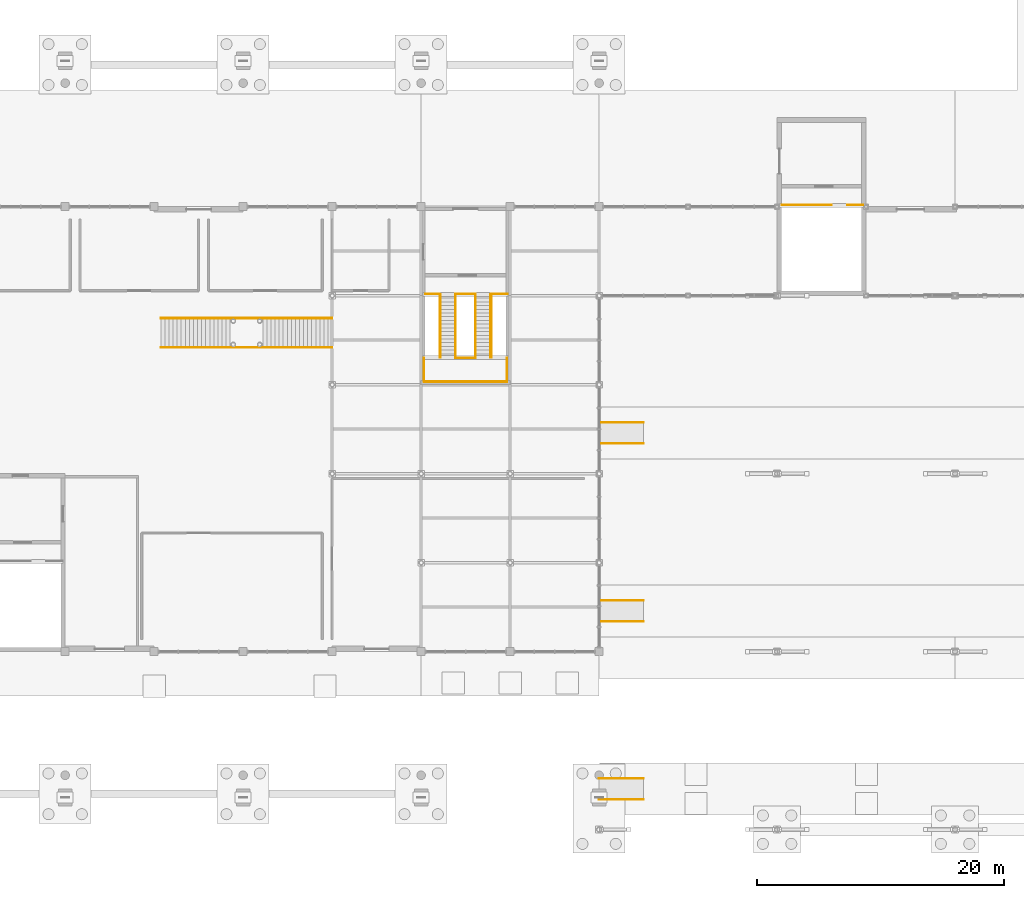
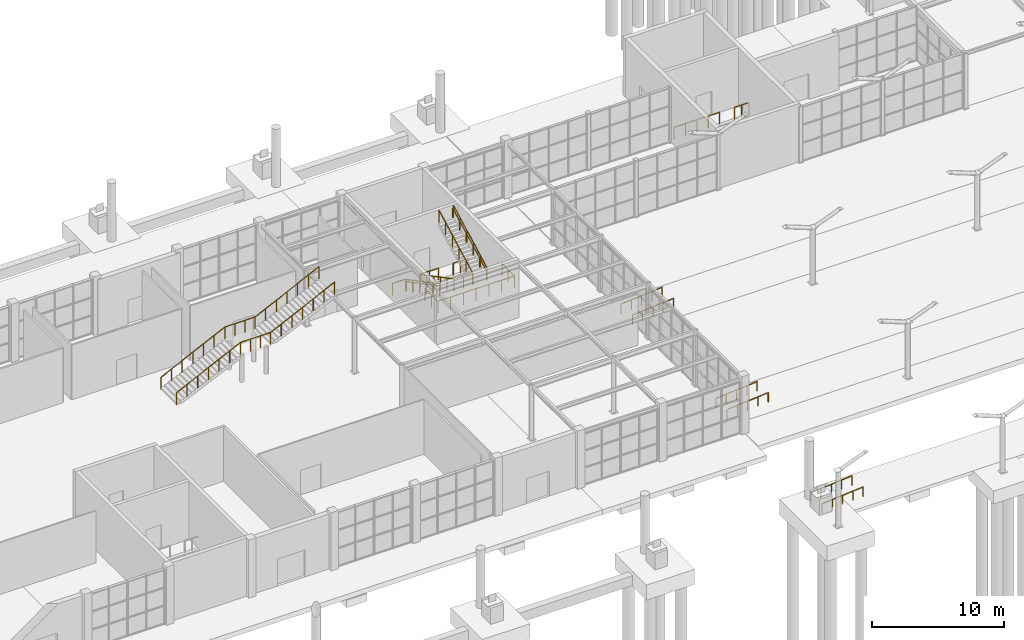
# One storey, part 71 of 75: 21 railings.
"""IFC4 building model written with IfcOpenShell, lengths in metres."""

from ifc_helpers import new_model, si_unit, direction, frame, origin, origin_2d, place, context, subcontext, project, spatial, circle, extrude, material, type_object, element, save


model = new_model("IFC4")

# Units and contexts
model_context = context("Model", 3, precision=1e-05, world=origin(), true_north=direction((0.0, 1.0)))
body_context = subcontext(model_context, "Body", "Model", "MODEL_VIEW")
ifc_project = project(units=[si_unit("LENGTHUNIT", "METRE"), si_unit("AREAUNIT", "SQUARE_METRE"), si_unit("VOLUMEUNIT", "CUBIC_METRE"), si_unit("PLANEANGLEUNIT", "RADIAN"), si_unit("MASSUNIT", "GRAM", prefix="KILO")], contexts=[model_context])

# Site, building, storey
site_placement = place(None, origin())
site = spatial("IfcSite", under=ifc_project, at=site_placement, CompositionType="ELEMENT")
building_placement = place(site_placement, origin())
building = spatial("IfcBuilding", under=site, at=building_placement, Name="Leyfeld Transit Interchange", CompositionType="ELEMENT")
storey_placement = place(building_placement, origin())
storey = spatial("IfcBuildingStorey", under=building, at=storey_placement, Name="L00", CompositionType="ELEMENT", Elevation=0.0)

# Railings
ifc_material = material(Name="Stainless steel EN 1.4404", Category="steel")
railing_type_1 = type_object("IfcRailingType", Name="RL-STR-GRD-1100", PredefinedType="GUARDRAIL", material=ifc_material)
railing_1_placement = place(storey_placement, frame((86.760009765625, 43.35009765625, 0.0)))
element("IfcRailing", 1, at=railing_1_placement, inside=storey, type_object=railing_type_1, Name="Stair ST-07 Landing Guard FLW L00", PredefinedType="GUARDRAIL", context=body_context, shape_type="SweptSolid", body=[
    extrude(circle(Radius=0.02392578125, at=origin_2d()), frame((0.0, 0.0, 1.09619140625), z_axis=(1.0, 0.0, 0.0), x_axis=(0.0, 1.0, 0.0)), (0.0, 0.0, 1.0), 1.139892578125),
    extrude(circle(Radius=0.02099609375, at=origin_2d()), origin(), (0.0, 0.0, 1.0), 1.072021484375),
    extrude(circle(Radius=0.02099609375, at=origin_2d()), frame((1.139892578125, 0.0, 0.0)), (0.0, 0.0, 1.0), 1.072021484375),
])
railing_2_placement = place(storey_placement, frame((89.199951171875, 43.35009765625, 0.0)))
element("IfcRailing", 2, at=railing_2_placement, inside=storey, type_object=railing_type_1, Name="Stair ST-07 Landing Guard EYE L00", PredefinedType="GUARDRAIL", context=body_context, shape_type="SweptSolid", body=[
    extrude(circle(Radius=0.02392578125, at=origin_2d()), frame((0.0, 0.0, 1.09619140625), z_axis=(1.0, 0.0, 0.0), x_axis=(0.0, 1.0, 0.0)), (0.0, 0.0, 1.0), 1.60009765625),
    extrude(circle(Radius=0.02099609375, at=origin_2d()), origin(), (0.0, 0.0, 1.0), 1.072021484375),
    extrude(circle(Radius=0.02099609375, at=origin_2d()), frame((0.800048828125, 0.0, 0.0)), (0.0, 0.0, 1.0), 1.072021484375),
    extrude(circle(Radius=0.02099609375, at=origin_2d()), frame((1.60009765625, 0.0, 0.0)), (0.0, 0.0, 1.0), 1.072021484375),
])
railing_3_placement = place(storey_placement, frame((92.10009765625, 43.35009765625, 0.0)))
element("IfcRailing", 3, at=railing_3_placement, inside=storey, type_object=railing_type_1, Name="Stair ST-07 Landing Guard FLE L00", PredefinedType="GUARDRAIL", context=body_context, shape_type="SweptSolid", body=[
    extrude(circle(Radius=0.02392578125, at=origin_2d()), frame((0.0, 0.0, 1.09619140625), z_axis=(1.0, 0.0, 0.0), x_axis=(0.0, 1.0, 0.0)), (0.0, 0.0, 1.0), 1.289794921875),
    extrude(circle(Radius=0.02099609375, at=origin_2d()), origin(), (0.0, 0.0, 1.0), 1.072021484375),
    extrude(circle(Radius=0.02099609375, at=origin_2d()), frame((0.64501953125, 0.0, 0.0)), (0.0, 0.0, 1.0), 1.072021484375),
    extrude(circle(Radius=0.02099609375, at=origin_2d()), frame((1.289794921875, 0.0, 0.0)), (0.0, 0.0, 1.0), 1.072021484375),
])
railing_4_placement = place(storey_placement, frame((89.18505859375, 38.159912109375, 2.699951171875)))
element("IfcRailing", 4, at=railing_4_placement, inside=storey, type_object=railing_type_1, Name="Stair ST-07 L00 Half-Landing Inner Guard", PredefinedType="GUARDRAIL", context=body_context, shape_type="SweptSolid", body=[
    extrude(circle(Radius=0.02392578125, at=origin_2d()), frame((0.0, 0.0, 1.09619140625), z_axis=(1.0, 0.0, 0.0), x_axis=(0.0, 1.0, 0.0)), (0.0, 0.0, 1.0), 1.6298828125),
    extrude(circle(Radius=0.02099609375, at=origin_2d()), origin(), (0.0, 0.0, 1.0), 1.072021484375),
    extrude(circle(Radius=0.02099609375, at=origin_2d()), frame((0.81494140625, 0.0, 0.0)), (0.0, 0.0, 1.0), 1.072021484375),
    extrude(circle(Radius=0.02099609375, at=origin_2d()), frame((1.6298828125, 0.0, 0.0)), (0.0, 0.0, 1.0), 1.072021484375),
])
railing_5_placement = place(storey_placement, frame((86.639892578125, 38.159912109375, 2.699951171875)))
element("IfcRailing", 5, at=railing_5_placement, inside=storey, type_object=railing_type_1, Name="Stair ST-07 L00 Half-Landing Perimeter Guard", PredefinedType="GUARDRAIL", context=body_context, shape_type="SweptSolid", body=[
    extrude(circle(Radius=0.02392578125, at=origin_2d()), frame((0.0, 0.0, 1.09619140625), z_axis=(0.0, -1.0, 0.0), x_axis=(1.0, 0.0, 0.0)), (0.0, 0.0, 1.0), 1.919921875),
    extrude(circle(Radius=0.02392578125, at=origin_2d()), frame((0.0, -1.919921875, 1.09619140625), z_axis=(1.0, 0.0, 0.0), x_axis=(0.0, 1.0, 0.0)), (0.0, 0.0, 1.0), 6.72021484375),
    extrude(circle(Radius=0.02392578125, at=origin_2d()), frame((6.72021484375, -1.919921875, 1.09619140625), z_axis=(0.0, 1.0, 0.0), x_axis=(-1.0, 0.0, 0.0)), (0.0, 0.0, 1.0), 1.919921875),
    extrude(circle(Radius=0.02099609375, at=origin_2d()), origin(), (0.0, 0.0, 1.0), 1.072021484375),
    extrude(circle(Radius=0.02099609375, at=origin_2d()), frame((0.0, -0.9599609375, 0.0)), (0.0, 0.0, 1.0), 1.072021484375),
    extrude(circle(Radius=0.02099609375, at=origin_2d()), frame((0.0, -1.919921875, 0.0)), (0.0, 0.0, 1.0), 1.072021484375),
    extrude(circle(Radius=0.02099609375, at=origin_2d()), frame((1.1201171875, -1.919921875, 0.0)), (0.0, 0.0, 1.0), 1.072021484375),
    extrude(circle(Radius=0.02099609375, at=origin_2d()), frame((2.239990234375, -1.919921875, 0.0)), (0.0, 0.0, 1.0), 1.072021484375),
    extrude(circle(Radius=0.02099609375, at=origin_2d()), frame((3.360107421875, -1.919921875, 0.0)), (0.0, 0.0, 1.0), 1.072021484375),
    extrude(circle(Radius=0.02099609375, at=origin_2d()), frame((4.480224609375, -1.919921875, 0.0)), (0.0, 0.0, 1.0), 1.072021484375),
    extrude(circle(Radius=0.02099609375, at=origin_2d()), frame((5.60009765625, -1.919921875, 0.0)), (0.0, 0.0, 1.0), 1.072021484375),
    extrude(circle(Radius=0.02099609375, at=origin_2d()), frame((6.72021484375, -1.919921875, 0.0)), (0.0, 0.0, 1.0), 1.072021484375),
    extrude(circle(Radius=0.02099609375, at=origin_2d()), frame((6.72021484375, -0.9599609375, 0.0)), (0.0, 0.0, 1.0), 1.072021484375),
    extrude(circle(Radius=0.02099609375, at=origin_2d()), frame((6.72021484375, 0.0, 0.0)), (0.0, 0.0, 1.0), 1.072021484375),
])
for number, where, name in (
    (6, (89.18505859375, 43.300048828125, 0.0), "Stair ST-07 L00 F1 Inner Guard"),
    (7, (87.9150390625, 43.300048828125, 0.0), "Stair ST-07 L00 F1 Outer Guard"),
):
    element("IfcRailing", number, at=place(storey_placement, frame(where)), inside=storey, type_object=railing_type_1, Name=name, PredefinedType="GUARDRAIL", context=body_context, shape_type="SweptSolid", body=[
        extrude(circle(Radius=0.02392578125, at=origin_2d()), frame((0.0, 0.0, 1.09619140625), z_axis=(0.0, -0.883795119882, 0.467874113489), x_axis=(1.0, 0.0, 0.0)), (0.0, 0.0, 1.0), 5.770751953125),
        extrude(circle(Radius=0.02099609375, at=origin_2d()), origin(), (0.0, 0.0, 1.0), 1.072021484375),
        extrude(circle(Radius=0.02099609375, at=origin_2d()), frame((0.0, -1.02001953125, 0.5400390625)), (0.0, 0.0, 1.0), 1.072021484375),
        extrude(circle(Radius=0.02099609375, at=origin_2d()), frame((0.0, -2.0400390625, 1.080078125)), (0.0, 0.0, 1.0), 1.072021484375),
        extrude(circle(Radius=0.02099609375, at=origin_2d()), frame((0.0, -3.06005859375, 1.619873046875)), (0.0, 0.0, 1.0), 1.072021484375),
        extrude(circle(Radius=0.02099609375, at=origin_2d()), frame((0.0, -4.080078125, 2.159912109375)), (0.0, 0.0, 1.0), 1.072021484375),
        extrude(circle(Radius=0.02099609375, at=origin_2d()), frame((0.0, -5.10009765625, 2.699951171875)), (0.0, 0.0, 1.0), 1.072021484375),
    ])
for number, where, name in (
    (8, (90.81494140625, 38.199951171875, 2.699951171875), "Stair ST-07 L00 F2 Inner Guard"),
    (9, (92.0849609375, 38.199951171875, 2.699951171875), "Stair ST-07 L00 F2 Outer Guard"),
):
    element("IfcRailing", number, at=place(storey_placement, frame(where)), inside=storey, type_object=railing_type_1, Name=name, PredefinedType="GUARDRAIL", context=body_context, shape_type="SweptSolid", body=[
        extrude(circle(Radius=0.02392578125, at=origin_2d()), frame((0.0, 0.0, 1.09619140625), z_axis=(0.0, 0.883795119882, 0.467874113489), x_axis=(-1.0, 0.0, 0.0)), (0.0, 0.0, 1.0), 5.770751953125),
        extrude(circle(Radius=0.02099609375, at=origin_2d()), origin(), (0.0, 0.0, 1.0), 1.072021484375),
        extrude(circle(Radius=0.02099609375, at=origin_2d()), frame((0.0, 1.02001953125, 0.5400390625)), (0.0, 0.0, 1.0), 1.072021484375),
        extrude(circle(Radius=0.02099609375, at=origin_2d()), frame((0.0, 2.0400390625, 1.080078125)), (0.0, 0.0, 1.0), 1.072021484375),
        extrude(circle(Radius=0.02099609375, at=origin_2d()), frame((0.0, 3.06005859375, 1.619873046875)), (0.0, 0.0, 1.0), 1.072021484375),
        extrude(circle(Radius=0.02099609375, at=origin_2d()), frame((0.0, 4.080078125, 2.159912109375)), (0.0, 0.0, 1.0), 1.072021484375),
        extrude(circle(Radius=0.02099609375, at=origin_2d()), frame((0.0, 5.10009765625, 2.699951171875)), (0.0, 0.0, 1.0), 1.072021484375),
    ])
railing_6_placement = place(storey_placement, frame((115.590087890625, 50.550048828125, 0.0)))
element("IfcRailing", 10, at=railing_6_placement, inside=storey, type_object=railing_type_1, Name="Stair ST-09 Landing Guard TOPW L00", PredefinedType="GUARDRAIL", context=body_context, shape_type="SweptSolid", body=[
    extrude(circle(Radius=0.02392578125, at=origin_2d()), frame((0.0, 0.0, 1.09619140625), z_axis=(1.0, 0.0, 0.0), x_axis=(0.0, 1.0, 0.0)), (0.0, 0.0, 1.0), 4.010009765625),
    extrude(circle(Radius=0.02099609375, at=origin_2d()), origin(), (0.0, 0.0, 1.0), 1.072021484375),
    extrude(circle(Radius=0.02099609375, at=origin_2d()), frame((1.00244140625, 0.0, 0.0)), (0.0, 0.0, 1.0), 1.072021484375),
    extrude(circle(Radius=0.02099609375, at=origin_2d()), frame((2.0048828125, 0.0, 0.0)), (0.0, 0.0, 1.0), 1.072021484375),
    extrude(circle(Radius=0.02099609375, at=origin_2d()), frame((3.007568359375, 0.0, 0.0)), (0.0, 0.0, 1.0), 1.072021484375),
    extrude(circle(Radius=0.02099609375, at=origin_2d()), frame((4.010009765625, 0.0, 0.0)), (0.0, 0.0, 1.0), 1.072021484375),
])
railing_7_placement = place(storey_placement, frame((120.89990234375, 50.550048828125, 0.0)))
element("IfcRailing", 11, at=railing_7_placement, inside=storey, type_object=railing_type_1, Name="Stair ST-09 Landing Guard TOPE L00", PredefinedType="GUARDRAIL", context=body_context, shape_type="SweptSolid", body=[
    extrude(circle(Radius=0.02392578125, at=origin_2d()), frame((0.0, 0.0, 1.09619140625), z_axis=(1.0, 0.0, 0.0), x_axis=(0.0, 1.0, 0.0)), (0.0, 0.0, 1.0), 1.26513671875),
    extrude(circle(Radius=0.02099609375, at=origin_2d()), origin(), (0.0, 0.0, 1.0), 1.072021484375),
    extrude(circle(Radius=0.02099609375, at=origin_2d()), frame((0.632568359375, 0.0, 0.0)), (0.0, 0.0, 1.0), 1.072021484375),
    extrude(circle(Radius=0.02099609375, at=origin_2d()), frame((1.26513671875, 0.0, 0.0)), (0.0, 0.0, 1.0), 1.072021484375),
])
railing_8_placement = place(storey_placement, frame((65.340087890625, 39.02001953125, 0.0)))
element("IfcRailing", 12, at=railing_8_placement, inside=storey, type_object=railing_type_1, Name="Feature Stair ST-11 Guard S", PredefinedType="GUARDRAIL", context=body_context, shape_type="SweptSolid", body=[
    extrude(circle(Radius=0.02392578125, at=origin_2d()), frame((0.0, 0.0, 1.09619140625), z_axis=(0.901070349309, 0.0, 0.433672947733), x_axis=(0.0, 1.0, 0.0)), (0.0, 0.0, 1.0), 6.225830078125),
    extrude(circle(Radius=0.02392578125, at=origin_2d()), frame((5.60986328125, 0.0, 3.7958984375), z_axis=(1.0, 0.0, 0.0), x_axis=(0.0, 1.0, 0.0)), (0.0, 0.0, 1.0), 2.64013671875),
    extrude(circle(Radius=0.02392578125, at=origin_2d()), frame((8.25, 0.0, 3.7958984375), z_axis=(0.901070349309, 0.0, 0.433672947733), x_axis=(0.0, 1.0, 0.0)), (0.0, 0.0, 1.0), 6.225830078125),
    extrude(circle(Radius=0.02099609375, at=origin_2d()), origin(), (0.0, 0.0, 1.0), 1.072021484375),
    extrude(circle(Radius=0.02099609375, at=origin_2d()), frame((0.93505859375, 0.0, 0.449951171875)), (0.0, 0.0, 1.0), 1.072021484375),
    extrude(circle(Radius=0.02099609375, at=origin_2d()), frame((1.869873046875, 0.0, 0.89990234375)), (0.0, 0.0, 1.0), 1.072021484375),
    extrude(circle(Radius=0.02099609375, at=origin_2d()), frame((2.804931640625, 0.0, 1.35009765625)), (0.0, 0.0, 1.0), 1.072021484375),
    extrude(circle(Radius=0.02099609375, at=origin_2d()), frame((3.739990234375, 0.0, 1.800048828125)), (0.0, 0.0, 1.0), 1.072021484375),
    extrude(circle(Radius=0.02099609375, at=origin_2d()), frame((4.6748046875, 0.0, 2.25)), (0.0, 0.0, 1.0), 1.072021484375),
    extrude(circle(Radius=0.02099609375, at=origin_2d()), frame((5.60986328125, 0.0, 2.699951171875)), (0.0, 0.0, 1.0), 1.072021484375),
    extrude(circle(Radius=0.02099609375, at=origin_2d()), frame((6.489990234375, 0.0, 2.699951171875)), (0.0, 0.0, 1.0), 1.072021484375),
    extrude(circle(Radius=0.02099609375, at=origin_2d()), frame((7.369873046875, 0.0, 2.699951171875)), (0.0, 0.0, 1.0), 1.072021484375),
    extrude(circle(Radius=0.02099609375, at=origin_2d()), frame((8.25, 0.0, 2.699951171875)), (0.0, 0.0, 1.0), 1.072021484375),
    extrude(circle(Radius=0.02099609375, at=origin_2d()), frame((9.18505859375, 0.0, 3.14990234375)), (0.0, 0.0, 1.0), 1.072021484375),
    extrude(circle(Radius=0.02099609375, at=origin_2d()), frame((10.119873046875, 0.0, 3.599853515625)), (0.0, 0.0, 1.0), 1.072021484375),
    extrude(circle(Radius=0.02099609375, at=origin_2d()), frame((11.054931640625, 0.0, 4.0498046875)), (0.0, 0.0, 1.0), 1.072021484375),
    extrude(circle(Radius=0.02099609375, at=origin_2d()), frame((11.989990234375, 0.0, 4.5)), (0.0, 0.0, 1.0), 1.072021484375),
    extrude(circle(Radius=0.02099609375, at=origin_2d()), frame((12.9248046875, 0.0, 4.949951171875)), (0.0, 0.0, 1.0), 1.072021484375),
    extrude(circle(Radius=0.02099609375, at=origin_2d()), frame((13.85986328125, 0.0, 5.39990234375)), (0.0, 0.0, 1.0), 1.072021484375),
])
railing_9_placement = place(storey_placement, frame((65.340087890625, 41.3798828125, 0.0)))
element("IfcRailing", 13, at=railing_9_placement, inside=storey, type_object=railing_type_1, Name="Feature Stair ST-11 Guard N", PredefinedType="GUARDRAIL", context=body_context, shape_type="SweptSolid", body=[
    extrude(circle(Radius=0.02392578125, at=origin_2d()), frame((0.0, 0.0, 1.09619140625), z_axis=(0.901070349309, 0.0, 0.433672947733), x_axis=(0.0, 1.0, 0.0)), (0.0, 0.0, 1.0), 6.225830078125),
    extrude(circle(Radius=0.02392578125, at=origin_2d()), frame((5.60986328125, 0.0, 3.7958984375), z_axis=(1.0, 0.0, 0.0), x_axis=(0.0, 1.0, 0.0)), (0.0, 0.0, 1.0), 2.64013671875),
    extrude(circle(Radius=0.02392578125, at=origin_2d()), frame((8.25, 0.0, 3.7958984375), z_axis=(0.901070349309, 0.0, 0.433672947733), x_axis=(0.0, 1.0, 0.0)), (0.0, 0.0, 1.0), 6.225830078125),
    extrude(circle(Radius=0.02099609375, at=origin_2d()), origin(), (0.0, 0.0, 1.0), 1.072021484375),
    extrude(circle(Radius=0.02099609375, at=origin_2d()), frame((0.93505859375, 0.0, 0.449951171875)), (0.0, 0.0, 1.0), 1.072021484375),
    extrude(circle(Radius=0.02099609375, at=origin_2d()), frame((1.869873046875, 0.0, 0.89990234375)), (0.0, 0.0, 1.0), 1.072021484375),
    extrude(circle(Radius=0.02099609375, at=origin_2d()), frame((2.804931640625, 0.0, 1.35009765625)), (0.0, 0.0, 1.0), 1.072021484375),
    extrude(circle(Radius=0.02099609375, at=origin_2d()), frame((3.739990234375, 0.0, 1.800048828125)), (0.0, 0.0, 1.0), 1.072021484375),
    extrude(circle(Radius=0.02099609375, at=origin_2d()), frame((4.6748046875, 0.0, 2.25)), (0.0, 0.0, 1.0), 1.072021484375),
    extrude(circle(Radius=0.02099609375, at=origin_2d()), frame((5.60986328125, 0.0, 2.699951171875)), (0.0, 0.0, 1.0), 1.072021484375),
    extrude(circle(Radius=0.02099609375, at=origin_2d()), frame((6.489990234375, 0.0, 2.699951171875)), (0.0, 0.0, 1.0), 1.072021484375),
    extrude(circle(Radius=0.02099609375, at=origin_2d()), frame((7.369873046875, 0.0, 2.699951171875)), (0.0, 0.0, 1.0), 1.072021484375),
    extrude(circle(Radius=0.02099609375, at=origin_2d()), frame((8.25, 0.0, 2.699951171875)), (0.0, 0.0, 1.0), 1.072021484375),
    extrude(circle(Radius=0.02099609375, at=origin_2d()), frame((9.18505859375, 0.0, 3.14990234375)), (0.0, 0.0, 1.0), 1.072021484375),
    extrude(circle(Radius=0.02099609375, at=origin_2d()), frame((10.119873046875, 0.0, 3.599853515625)), (0.0, 0.0, 1.0), 1.072021484375),
    extrude(circle(Radius=0.02099609375, at=origin_2d()), frame((11.054931640625, 0.0, 4.0498046875)), (0.0, 0.0, 1.0), 1.072021484375),
    extrude(circle(Radius=0.02099609375, at=origin_2d()), frame((11.989990234375, 0.0, 4.5)), (0.0, 0.0, 1.0), 1.072021484375),
    extrude(circle(Radius=0.02099609375, at=origin_2d()), frame((12.9248046875, 0.0, 4.949951171875)), (0.0, 0.0, 1.0), 1.072021484375),
    extrude(circle(Radius=0.02099609375, at=origin_2d()), frame((13.85986328125, 0.0, 5.39990234375)), (0.0, 0.0, 1.0), 1.072021484375),
])
railing_type_2 = type_object("IfcRailingType", Name="RL-STR-HND-900", PredefinedType="HANDRAIL", material=ifc_material)
railing_10_placement = place(storey_placement, frame((87.97509765625, 43.300048828125, 0.0)))
element("IfcRailing", 14, at=railing_10_placement, inside=storey, type_object=railing_type_2, Name="Stair ST-07 L00 F1 Handrail", PredefinedType="HANDRAIL", context=body_context, shape_type="SweptSolid", body=[
    extrude(circle(Radius=0.02392578125, at=origin_2d()), frame((0.0, 0.0, 0.8759765625), z_axis=(0.0, -0.883795119882, 0.467874113489), x_axis=(1.0, 0.0, 0.0)), (0.0, 0.0, 1.0), 5.770751953125),
    extrude(circle(Radius=0.02099609375, at=origin_2d()), origin(), (0.0, 0.0, 1.0), 0.851806640625),
    extrude(circle(Radius=0.02099609375, at=origin_2d()), frame((0.0, -1.02001953125, 0.5400390625)), (0.0, 0.0, 1.0), 0.851806640625),
    extrude(circle(Radius=0.02099609375, at=origin_2d()), frame((0.0, -2.0400390625, 1.080078125)), (0.0, 0.0, 1.0), 0.851806640625),
    extrude(circle(Radius=0.02099609375, at=origin_2d()), frame((0.0, -3.06005859375, 1.619873046875)), (0.0, 0.0, 1.0), 0.851806640625),
    extrude(circle(Radius=0.02099609375, at=origin_2d()), frame((0.0, -4.080078125, 2.159912109375)), (0.0, 0.0, 1.0), 0.851806640625),
    extrude(circle(Radius=0.02099609375, at=origin_2d()), frame((0.0, -5.10009765625, 2.699951171875)), (0.0, 0.0, 1.0), 0.851806640625),
])
railing_11_placement = place(storey_placement, frame((92.02490234375, 38.199951171875, 2.699951171875)))
element("IfcRailing", 15, at=railing_11_placement, inside=storey, type_object=railing_type_2, Name="Stair ST-07 L00 F2 Handrail", PredefinedType="HANDRAIL", context=body_context, shape_type="SweptSolid", body=[
    extrude(circle(Radius=0.02392578125, at=origin_2d()), frame((0.0, 0.0, 0.8759765625), z_axis=(0.0, 0.883795119882, 0.467874113489), x_axis=(-1.0, 0.0, 0.0)), (0.0, 0.0, 1.0), 5.770751953125),
    extrude(circle(Radius=0.02099609375, at=origin_2d()), origin(), (0.0, 0.0, 1.0), 0.851806640625),
    extrude(circle(Radius=0.02099609375, at=origin_2d()), frame((0.0, 1.02001953125, 0.5400390625)), (0.0, 0.0, 1.0), 0.851806640625),
    extrude(circle(Radius=0.02099609375, at=origin_2d()), frame((0.0, 2.0400390625, 1.080078125)), (0.0, 0.0, 1.0), 0.851806640625),
    extrude(circle(Radius=0.02099609375, at=origin_2d()), frame((0.0, 3.06005859375, 1.619873046875)), (0.0, 0.0, 1.0), 0.851806640625),
    extrude(circle(Radius=0.02099609375, at=origin_2d()), frame((0.0, 4.080078125, 2.159912109375)), (0.0, 0.0, 1.0), 0.851806640625),
    extrude(circle(Radius=0.02099609375, at=origin_2d()), frame((0.0, 5.10009765625, 2.699951171875)), (0.0, 0.0, 1.0), 0.851806640625),
])
for number, where, name in (
    (16, (100.800048828125, 2.449951171875, -0.300048828125), "Accessible Ramp ISL1W Handrail S"),
    (17, (100.800048828125, 4.14990234375, -0.300048828125), "Accessible Ramp ISL1W Handrail N"),
    (18, (100.800048828125, 16.85009765625, -0.300048828125), "Accessible Ramp ISL2W Handrail S"),
    (19, (100.800048828125, 18.550048828125, -0.300048828125), "Accessible Ramp ISL2W Handrail N"),
    (20, (100.800048828125, 31.25, -0.300048828125), "Accessible Ramp ISL3W Handrail S"),
    (21, (100.800048828125, 32.949951171875, -0.300048828125), "Accessible Ramp ISL3W Handrail N"),
):
    element("IfcRailing", number, at=place(storey_placement, frame(where)), inside=storey, type_object=railing_type_2, Name=name, PredefinedType="HANDRAIL", context=body_context, shape_type="SweptSolid", body=[
        extrude(circle(Radius=0.02392578125, at=origin_2d()), frame((0.0, 0.0, 0.8759765625), z_axis=(0.996544359788, 0.0, 0.083062259626), x_axis=(0.0, 1.0, 0.0)), (0.0, 0.0, 1.0), 3.6123046875),
        extrude(circle(Radius=0.02099609375, at=origin_2d()), origin(), (0.0, 0.0, 1.0), 0.851806640625),
        extrude(circle(Radius=0.02099609375, at=origin_2d()), frame((0.89990234375, 0.0, 0.074951171875)), (0.0, 0.0, 1.0), 0.851806640625),
        extrude(circle(Radius=0.02099609375, at=origin_2d()), frame((1.7998046875, 0.0, 0.14990234375)), (0.0, 0.0, 1.0), 0.851806640625),
        extrude(circle(Radius=0.02099609375, at=origin_2d()), frame((2.699951171875, 0.0, 0.22509765625)), (0.0, 0.0, 1.0), 0.851806640625),
        extrude(circle(Radius=0.02099609375, at=origin_2d()), frame((3.599853515625, 0.0, 0.300048828125)), (0.0, 0.0, 1.0), 0.851806640625),
    ])

save(model, "model.ifc")
